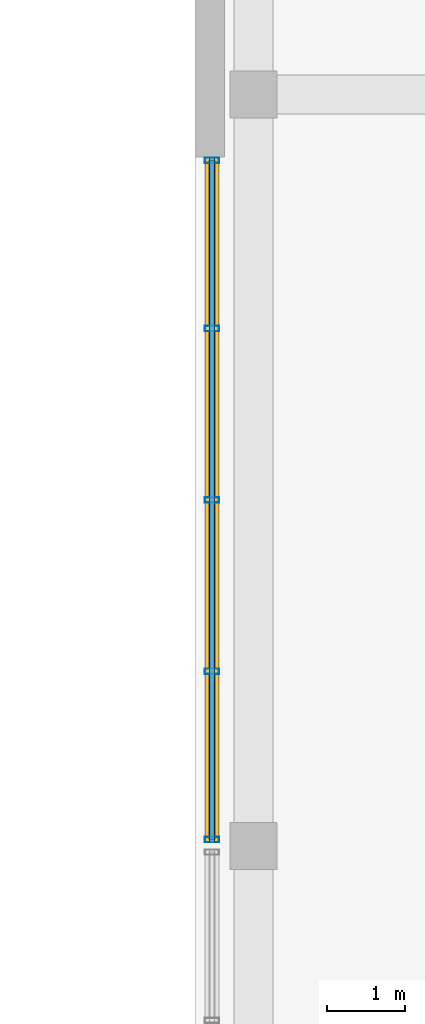
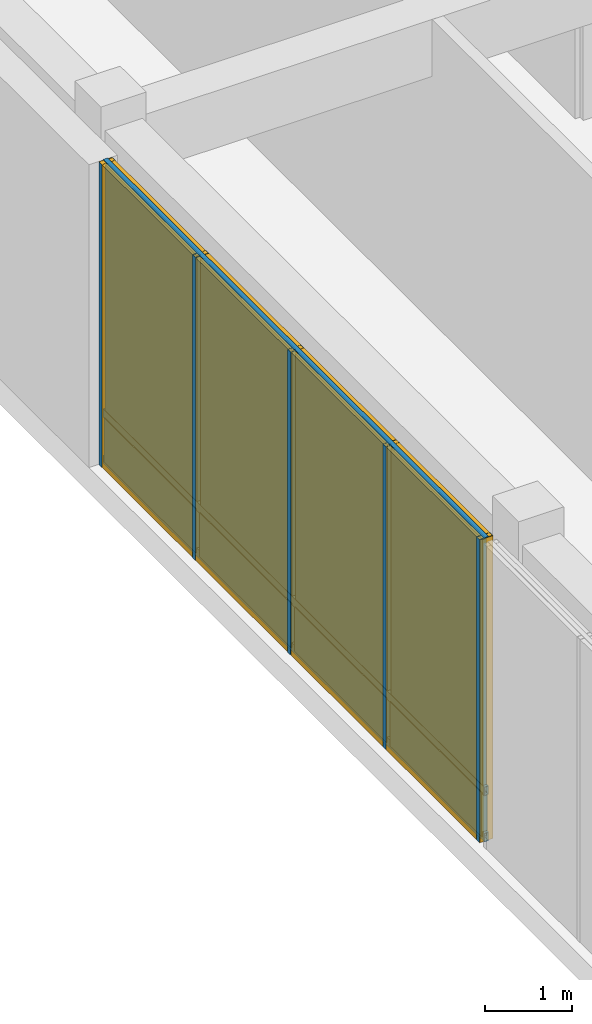
# One storey, part 17 of 24: 8 members, 8 plates, 1 curtain wall.
"""IFC4 building model written with IfcOpenShell, lengths in metres."""

from ifc_helpers import new_model, si_unit, direction, frame, frame_2d, origin, origin_2d, place, context, subcontext, project, spatial, rectangle, hollow_rectangle, extrude, material, layer, layer_set, material_profile, profile_set, type_object, element, aggregate, save


model = new_model("IFC4")

# Units and contexts
model_context = context("Model", 3, precision=1e-05, world=origin(), true_north=direction((0.0, 1.0)))
body_context = subcontext(model_context, "Body", "Model", "MODEL_VIEW")
ifc_project = project(units=[si_unit("LENGTHUNIT", "METRE"), si_unit("AREAUNIT", "SQUARE_METRE"), si_unit("VOLUMEUNIT", "CUBIC_METRE"), si_unit("PLANEANGLEUNIT", "RADIAN"), si_unit("MASSUNIT", "GRAM", prefix="KILO")], contexts=[model_context])

# Member
ifc_material_1 = material(Name="Anodized Aluminium 6063-T6", Category="aluminium")
ifc_material_profile_1 = material_profile(ifc_material_1, hollow_rectangle(XDim=0.070068359375, YDim=0.179931640625, WallThickness=0.00390625, at=origin_2d()), Name="Anodized Aluminium 6063-T6")
ifc_profile_set_1 = profile_set([ifc_material_profile_1], Name="Anodized Aluminium 6063-T6")
member_type_1 = type_object("IfcMemberType", Name="Curtain Wall Mullion 180", PredefinedType="MULLION", material=ifc_profile_set_1)
site_placement = place(None, origin())
building_placement = place(site_placement, origin())
storey_placement = place(building_placement, frame((0.0, 0.0, 15.0)))
member_1_placement = place(storey_placement, frame((85.419921875, 28.8798828125, 0.0), z_axis=(0.0, 0.0, 1.0), x_axis=(0.0, 1.0, 0.0)))
member_1 = element("IfcMember", 1, at=member_1_placement, type_object=member_type_1, Name="Curtain Wall Mullion CW-L03-LREAD-2-M01", PredefinedType="MULLION", context=body_context, shape_type="SweptSolid", body=[
    extrude(hollow_rectangle(XDim=0.070068359375, YDim=0.179931640625, WallThickness=0.00390625, at=origin_2d()), origin(), (0.0, 0.0, 1.0), 4.25),
])

member_2_placement = place(storey_placement, frame((85.419921875, 31.030029296875, 0.0), z_axis=(0.0, 0.0, 1.0), x_axis=(0.0, 1.0, 0.0)))
member_2 = element("IfcMember", 2, at=member_2_placement, type_object=member_type_1, Name="Curtain Wall Mullion CW-L03-LREAD-2-M02", PredefinedType="MULLION", context=body_context, shape_type="SweptSolid", body=[
    extrude(hollow_rectangle(XDim=0.070068359375, YDim=0.179931640625, WallThickness=0.00390625, at=origin_2d()), origin(), (0.0, 0.0, 1.0), 4.25),
])

member_3_placement = place(storey_placement, frame((85.419921875, 33.219970703125, 0.0), z_axis=(0.0, 0.0, 1.0), x_axis=(0.0, 1.0, 0.0)))
member_3 = element("IfcMember", 3, at=member_3_placement, type_object=member_type_1, Name="Curtain Wall Mullion CW-L03-LREAD-2-M03", PredefinedType="MULLION", context=body_context, shape_type="SweptSolid", body=[
    extrude(hollow_rectangle(XDim=0.070068359375, YDim=0.179931640625, WallThickness=0.00390625, at=origin_2d()), origin(), (0.0, 0.0, 1.0), 4.25),
])

member_4_placement = place(storey_placement, frame((85.419921875, 35.409912109375, 0.0), z_axis=(0.0, 0.0, 1.0), x_axis=(0.0, 1.0, 0.0)))
member_4 = element("IfcMember", 4, at=member_4_placement, type_object=member_type_1, Name="Curtain Wall Mullion CW-L03-LREAD-2-M04", PredefinedType="MULLION", context=body_context, shape_type="SweptSolid", body=[
    extrude(hollow_rectangle(XDim=0.070068359375, YDim=0.179931640625, WallThickness=0.00390625, at=origin_2d()), origin(), (0.0, 0.0, 1.0), 4.25),
])

member_5_placement = place(storey_placement, frame((85.419921875, 37.56005859375, 0.0), z_axis=(0.0, 0.0, 1.0), x_axis=(0.0, 1.0, 0.0)))
member_5 = element("IfcMember", 5, at=member_5_placement, type_object=member_type_1, Name="Curtain Wall Mullion CW-L03-LREAD-2-M05", PredefinedType="MULLION", context=body_context, shape_type="SweptSolid", body=[
    extrude(hollow_rectangle(XDim=0.070068359375, YDim=0.179931640625, WallThickness=0.00390625, at=origin_2d()), origin(), (0.0, 0.0, 1.0), 4.25),
])

ifc_material_profile_2 = material_profile(ifc_material_1, hollow_rectangle(XDim=0.06005859375, YDim=0.1201171875, WallThickness=0.00341796875, at=origin_2d()), Name="Anodized Aluminium 6063-T6")
ifc_profile_set_2 = profile_set([ifc_material_profile_2], Name="Anodized Aluminium 6063-T6")
member_type_2 = type_object("IfcMemberType", Name="Curtain Wall Transom 120", PredefinedType="USERDEFINED", material=ifc_profile_set_2)
member_6_placement = place(storey_placement, frame((85.419921875, 28.840087890625, 0.050048828125), z_axis=(0.0, 1.0, 0.0), x_axis=(-1.0, 0.0, 0.0)))
member_6 = element("IfcMember", 6, at=member_6_placement, type_object=member_type_2, Name="Curtain Wall Transom CW-L03-LREAD-2-T01", ObjectType="TRANSOM", PredefinedType="USERDEFINED", context=body_context, shape_type="SweptSolid", body=[
    extrude(hollow_rectangle(XDim=0.06005859375, YDim=0.1201171875, WallThickness=0.00341796875, at=origin_2d()), origin(), (0.0, 0.0, 1.0), 8.760009765625),
])

member_7_placement = place(storey_placement, frame((85.419921875, 28.840087890625, 0.699951171875), z_axis=(0.0, 1.0, 0.0), x_axis=(-1.0, 0.0, 0.0)))
member_7 = element("IfcMember", 7, at=member_7_placement, type_object=member_type_2, Name="Curtain Wall Transom CW-L03-LREAD-2-T02", ObjectType="TRANSOM", PredefinedType="USERDEFINED", context=body_context, shape_type="SweptSolid", body=[
    extrude(hollow_rectangle(XDim=0.06005859375, YDim=0.1201171875, WallThickness=0.00341796875, at=origin_2d()), origin(), (0.0, 0.0, 1.0), 8.760009765625),
])

member_8_placement = place(storey_placement, frame((85.419921875, 28.840087890625, 4.199951171875), z_axis=(0.0, 1.0, 0.0), x_axis=(-1.0, 0.0, 0.0)))
member_8 = element("IfcMember", 8, at=member_8_placement, type_object=member_type_2, Name="Curtain Wall Transom CW-L03-LREAD-2-T03", ObjectType="TRANSOM", PredefinedType="USERDEFINED", context=body_context, shape_type="SweptSolid", body=[
    extrude(hollow_rectangle(XDim=0.06005859375, YDim=0.1201171875, WallThickness=0.00341796875, at=origin_2d()), origin(), (0.0, 0.0, 1.0), 8.760009765625),
])

# Plate
ifc_material_2 = material(Name="Bird-Friendly Fritted Triple Glazing", Category="glass")
ifc_layer_1 = layer(ifc_material_2, 0.052001953125, Name="Bird-Friendly Fritted Triple Glazing")
ifc_layer_set_1 = layer_set([ifc_layer_1], Name="Bird-Friendly Fritted Triple Glazing")
plate_type_1 = type_object("IfcPlateType", Name="Plate CWGlazing 52", PredefinedType="CURTAIN_PANEL", material=ifc_layer_set_1)
plate_1_placement = place(storey_placement, frame((85.419921875, 29.93505859375, 0.740234375), z_axis=(0.0, 0.0, 1.0), x_axis=(0.0, 1.0, 0.0)))
plate_1 = element("IfcPlate", 9, at=plate_1_placement, type_object=plate_type_1, Name="Vision Glazing Panel CW-L03-LREAD-2-GL01", PredefinedType="CURTAIN_PANEL", context=body_context, shape_type="SweptSolid", body=[
    extrude(rectangle(XDim=2.110107421875, YDim=0.052001953125, at=origin_2d()), origin(), (0.0, 0.0, 1.0), 3.469970703125),
])

plate_2_placement = place(storey_placement, frame((85.419921875, 32.125, 0.740234375), z_axis=(0.0, 0.0, 1.0), x_axis=(0.0, 1.0, 0.0)))
plate_2 = element("IfcPlate", 10, at=plate_2_placement, type_object=plate_type_1, Name="Vision Glazing Panel CW-L03-LREAD-2-GL02", PredefinedType="CURTAIN_PANEL", context=body_context, shape_type="SweptSolid", body=[
    extrude(rectangle(XDim=2.110107421875, YDim=0.052001953125, at=origin_2d()), origin(), (0.0, 0.0, 1.0), 3.469970703125),
])

plate_3_placement = place(storey_placement, frame((85.419921875, 34.31494140625, 0.740234375), z_axis=(0.0, 0.0, 1.0), x_axis=(0.0, 1.0, 0.0)))
plate_3 = element("IfcPlate", 11, at=plate_3_placement, type_object=plate_type_1, Name="Vision Glazing Panel CW-L03-LREAD-2-GL03", PredefinedType="CURTAIN_PANEL", context=body_context, shape_type="SweptSolid", body=[
    extrude(rectangle(XDim=2.110107421875, YDim=0.052001953125, at=origin_2d()), origin(), (0.0, 0.0, 1.0), 3.469970703125),
])

plate_4_placement = place(storey_placement, frame((85.419921875, 36.5048828125, 0.740234375), z_axis=(0.0, 0.0, 1.0), x_axis=(0.0, 1.0, 0.0)))
plate_4 = element("IfcPlate", 12, at=plate_4_placement, type_object=plate_type_1, Name="Vision Glazing Panel CW-L03-LREAD-2-GL04", PredefinedType="CURTAIN_PANEL", context=body_context, shape_type="SweptSolid", body=[
    extrude(rectangle(XDim=2.110107421875, YDim=0.052001953125, at=origin_2d()), origin(), (0.0, 0.0, 1.0), 3.469970703125),
])

ifc_material_3 = material(Name="Insulated Aluminium Spandrel Panel", Category="aluminium")
ifc_layer_2 = layer(ifc_material_3, 0.080078125, Name="Insulated Aluminium Spandrel Panel")
ifc_layer_set_2 = layer_set([ifc_layer_2], Name="Insulated Aluminium Spandrel Panel")
plate_type_2 = type_object("IfcPlateType", Name="Plate CWSpandrel 80", PredefinedType="SHEET", material=ifc_layer_set_2)
plate_5_placement = place(storey_placement, frame((85.419921875, 29.93505859375, 0.0400390625), z_axis=(0.0, 0.0, 1.0), x_axis=(0.0, 1.0, 0.0)))
plate_5 = element("IfcPlate", 13, at=plate_5_placement, type_object=plate_type_2, Name="Spandrel Panel CW-L03-LREAD-2-SP01", PredefinedType="SHEET", context=body_context, shape_type="SweptSolid", body=[
    extrude(rectangle(XDim=2.110107421875, YDim=0.080078125, at=origin_2d()), origin(), (0.0, 0.0, 1.0), 0.6201171875),
])

plate_6_placement = place(storey_placement, frame((85.419921875, 32.125, 0.0400390625), z_axis=(0.0, 0.0, 1.0), x_axis=(0.0, 1.0, 0.0)))
plate_6 = element("IfcPlate", 14, at=plate_6_placement, type_object=plate_type_2, Name="Spandrel Panel CW-L03-LREAD-2-SP02", PredefinedType="SHEET", context=body_context, shape_type="SweptSolid", body=[
    extrude(rectangle(XDim=2.110107421875, YDim=0.080078125, at=origin_2d()), origin(), (0.0, 0.0, 1.0), 0.6201171875),
])

plate_7_placement = place(storey_placement, frame((85.419921875, 34.31494140625, 0.0400390625), z_axis=(0.0, 0.0, 1.0), x_axis=(0.0, 1.0, 0.0)))
plate_7 = element("IfcPlate", 15, at=plate_7_placement, type_object=plate_type_2, Name="Spandrel Panel CW-L03-LREAD-2-SP03", PredefinedType="SHEET", context=body_context, shape_type="SweptSolid", body=[
    extrude(rectangle(XDim=2.110107421875, YDim=0.080078125, at=origin_2d()), origin(), (0.0, 0.0, 1.0), 0.6201171875),
])

plate_8_placement = place(storey_placement, frame((85.419921875, 36.5048828125, 0.0400390625), z_axis=(0.0, 0.0, 1.0), x_axis=(0.0, 1.0, 0.0)))
plate_8 = element("IfcPlate", 16, at=plate_8_placement, type_object=plate_type_2, Name="Spandrel Panel CW-L03-LREAD-2-SP04", PredefinedType="SHEET", context=body_context, shape_type="SweptSolid", body=[
    extrude(rectangle(XDim=2.110107421875, YDim=0.080078125, at=origin_2d()), origin(), (0.0, 0.0, 1.0), 0.6201171875),
])

# Site, building, storey
site = spatial("IfcSite", under=ifc_project, at=site_placement, CompositionType="ELEMENT")
building = spatial("IfcBuilding", under=site, at=building_placement, Name="Norrvale University Quadrangle", CompositionType="ELEMENT")
storey = spatial("IfcBuildingStorey", under=building, at=storey_placement, Name="L03", CompositionType="ELEMENT", Elevation=15.0)

# Curtain wall
ifc_material_4 = material(Name="Anodized Aluminium and Triple Glazing", Category="glass")
curtain_wall_type = type_object("IfcCurtainWallType", Name="Curtain Wall System 4 Lib Reading", PredefinedType="NOTDEFINED", material=ifc_material_4)
curtain_wall_placement = place(storey_placement, frame((85.419921875, 28.840087890625, 0.0), z_axis=(0.0, 0.0, 1.0), x_axis=(0.0, 1.0, 0.0)))
curtain_wall = element("IfcCurtainWall", 17, at=curtain_wall_placement, inside=storey, type_object=curtain_wall_type, Name="Curtain Wall CW System 4 Lib Reading CW-L03-LREAD-2", PredefinedType="NOTDEFINED", context=body_context, shape_type="SweptSolid", body=[
    extrude(rectangle(XDim=8.760009765625, YDim=0.175048828125, at=frame_2d((4.3798828125, 0.0))), origin(), (0.0, 0.0, 1.0), 4.25),
])

aggregate(curtain_wall, [member_1, member_2, member_3, member_4, member_5, member_6, member_7, member_8, plate_5, plate_1, plate_6, plate_2, plate_7, plate_3, plate_8, plate_4])

save(model, "model.ifc")
